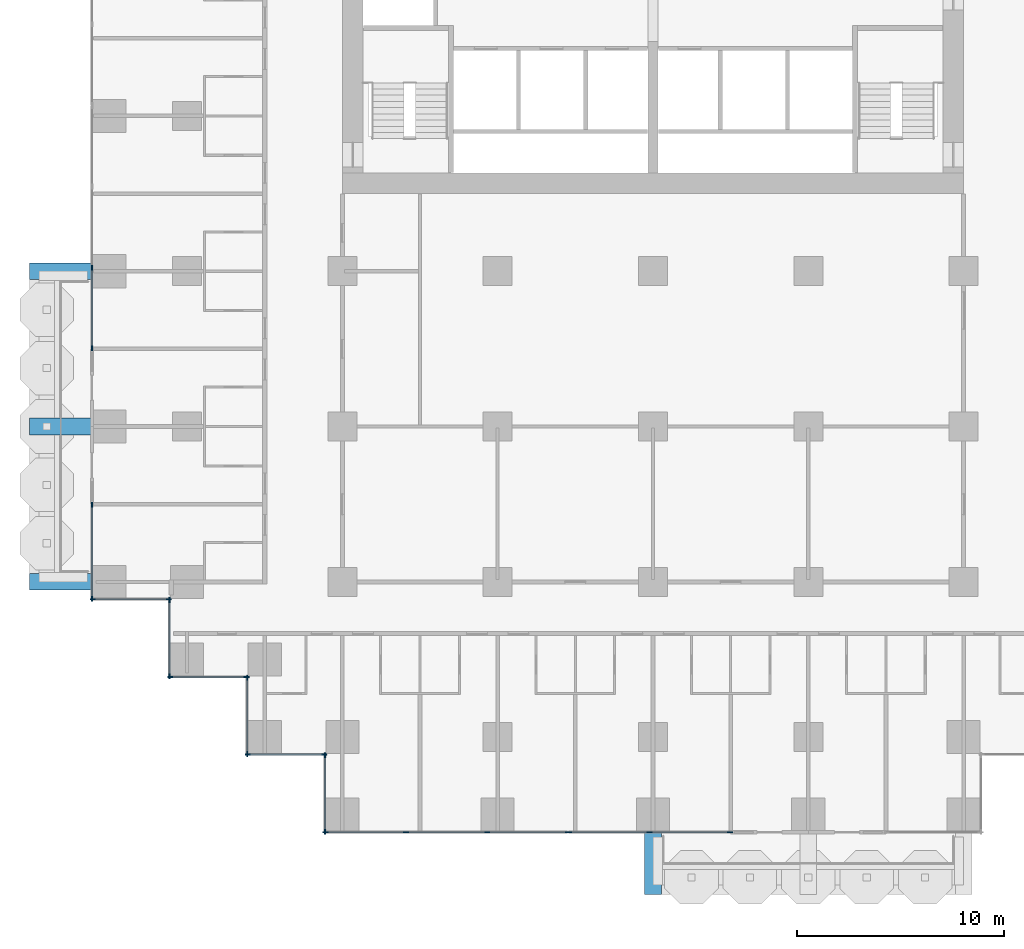
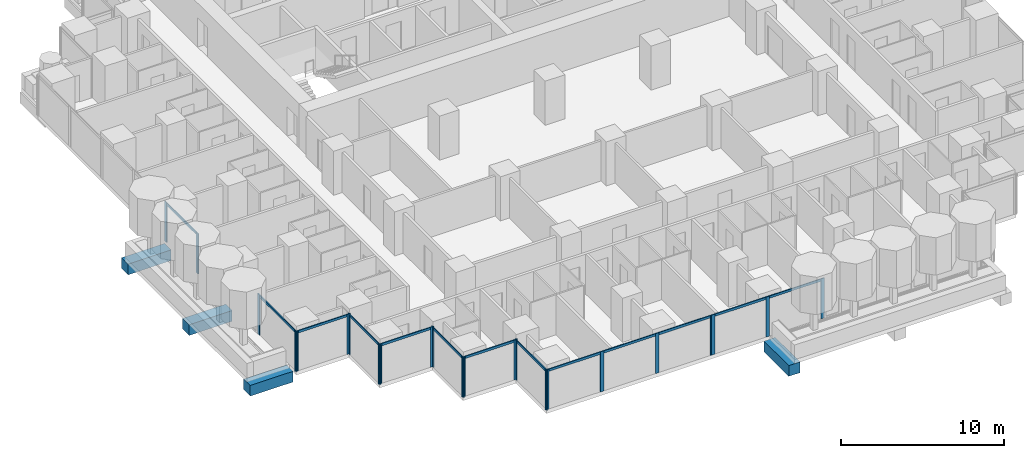
# One storey, part 2 of 19: 36 members, 4 beams, 10 elements without a shape of their own.
"""IFC4 building model written with IfcOpenShell, lengths in metres."""

from ifc_helpers import new_model, si_unit, direction, frame, origin, origin_2d, place, context, subcontext, project, spatial, rectangle, extrude, material, material_profile, profile_set, type_object, element, aggregate, save


model = new_model("IFC4")

# Units and contexts
model_context = context("Model", 3, precision=1e-05, world=origin(), true_north=direction((0.0, 1.0)))
body_context = subcontext(model_context, "Body", "Model", "MODEL_VIEW")
ifc_project = project(units=[si_unit("LENGTHUNIT", "METRE"), si_unit("AREAUNIT", "SQUARE_METRE"), si_unit("VOLUMEUNIT", "CUBIC_METRE"), si_unit("PLANEANGLEUNIT", "RADIAN"), si_unit("MASSUNIT", "GRAM", prefix="KILO")], contexts=[model_context])

# Site, building, storey
site_placement = place(None, origin())
site = spatial("IfcSite", under=ifc_project, at=site_placement, CompositionType="ELEMENT")
building_placement = place(site_placement, origin())
building = spatial("IfcBuilding", under=site, at=building_placement, Name="Pilkhan Gate Tower", CompositionType="ELEMENT")
storey_placement = place(building_placement, frame((0.0, 0.0, 46.10009765625)))
storey = spatial("IfcBuildingStorey", under=building, at=storey_placement, Name="L08", CompositionType="ELEMENT", Elevation=46.10009765625)

# Beams
ifc_material_1 = material(Name="Concrete C50/60", Category="concrete")
ifc_material_profile_1 = material_profile(ifc_material_1, rectangle(XDim=0.800048828125, YDim=0.800048828125, at=origin_2d()), Name="RC 800x800")
ifc_profile_set_1 = profile_set([ifc_material_profile_1], Name="Concrete C50/60")
beam_type = type_object("IfcBeamType", Name="Cantilever beam CB2 RC 800x800 C50/60", PredefinedType="BEAM", material=ifc_profile_set_1)
for number, where, z_axis, x_axis, name in (
    (1, (75.0, 40.449951171875, -0.7001953125), (0.0, -1.0, 0.0), (1.0, 0.0, 0.0), "Balcony beam S.1 L08"),
    (2, (47.949951171875, 52.5, -0.7001953125), (-1.0, 0.0, 0.0), (0.0, -1.0, 0.0), "Balcony beam W.1 L08"),
    (3, (47.949951171875, 60.0, -0.7001953125), (-1.0, 0.0, 0.0), (0.0, -1.0, 0.0), "Balcony beam W.2 L08"),
    (4, (47.949951171875, 67.5, -0.7001953125), (-1.0, 0.0, 0.0), (0.0, -1.0, 0.0), "Balcony beam W.3 L08"),
):
    element("IfcBeam", number, at=place(storey_placement, frame(where, z_axis=z_axis, x_axis=x_axis)), inside=storey, type_object=beam_type, Name=name, PredefinedType="BEAM", context=body_context, shape_type="SweptSolid", body=[
        extrude(rectangle(XDim=0.800048828125, YDim=0.800048828125, at=origin_2d()), origin(), (0.0, 0.0, 1.0), 3.050048828125),
    ])

# Curtain wall, members
ifc_material_2 = material(Name="Pale anodised aluminium, clear low-iron double glazing", Category="aluminium")
curtain_wall_type = type_object("IfcCurtainWallType", Name="Hotel unitised curtain wall CW-H", PredefinedType="USERDEFINED", material=ifc_material_2)
curtain_wall_1_placement = place(storey_placement, origin())
curtain_wall_1 = element("IfcCurtainWall", 5, at=curtain_wall_1_placement, inside=storey, type_object=curtain_wall_type, Name="Hotel unitised curtain wall CW-H L08 W", ObjectType="UNITISED CURTAIN WALL", PredefinedType="USERDEFINED")
ifc_material_3 = material(Name="Pale anodised aluminium", Category="aluminium")
ifc_material_profile_2 = material_profile(ifc_material_3, rectangle(XDim=0.06494140625, YDim=0.25, at=origin_2d()), Name="Mullion 250x65")
ifc_profile_set_2 = profile_set([ifc_material_profile_2], Name="Pale anodised aluminium")
member_type_1 = type_object("IfcMemberType", Name="Mullion CW-H 250x65", PredefinedType="MULLION", material=ifc_profile_set_2)
member_1_placement = place(storey_placement, frame((47.905029296875, 51.6875, 0.0), z_axis=(0.0, 0.0, 1.0), x_axis=(-1.0, 0.0, 0.0)))
member_1 = element("IfcMember", 6, at=member_1_placement, type_object=member_type_1, Name="CW-H mullion 1", PredefinedType="MULLION", context=body_context, shape_type="SweptSolid", body=[
    extrude(rectangle(XDim=0.06494140625, YDim=0.25, at=origin_2d()), origin(), (0.0, 0.0, 1.0), 3.0),
])
member_2_placement = place(storey_placement, frame((47.905029296875, 56.217529296875, 0.0), z_axis=(0.0, 0.0, 1.0), x_axis=(-1.0, 0.0, 0.0)))
member_2 = element("IfcMember", 7, at=member_2_placement, type_object=member_type_1, Name="CW-H mullion 2", PredefinedType="MULLION", context=body_context, shape_type="SweptSolid", body=[
    extrude(rectangle(XDim=0.06494140625, YDim=0.25, at=origin_2d()), origin(), (0.0, 0.0, 1.0), 3.0),
])

curtain_wall_2_placement = place(storey_placement, origin())
curtain_wall_2 = element("IfcCurtainWall", 8, at=curtain_wall_2_placement, inside=storey, type_object=curtain_wall_type, Name="Hotel unitised curtain wall CW-H L08 W", ObjectType="UNITISED CURTAIN WALL", PredefinedType="USERDEFINED")
member_3_placement = place(storey_placement, frame((47.905029296875, 63.782470703125, 0.0), z_axis=(0.0, 0.0, 1.0), x_axis=(-1.0, 0.0, 0.0)))
member_3 = element("IfcMember", 9, at=member_3_placement, type_object=member_type_1, Name="CW-H mullion 1", PredefinedType="MULLION", context=body_context, shape_type="SweptSolid", body=[
    extrude(rectangle(XDim=0.06494140625, YDim=0.25, at=origin_2d()), origin(), (0.0, 0.0, 1.0), 3.0),
])
member_4_placement = place(storey_placement, frame((47.905029296875, 67.6689453125, 0.0), z_axis=(0.0, 0.0, 1.0), x_axis=(-1.0, 0.0, 0.0)))
member_4 = element("IfcMember", 10, at=member_4_placement, type_object=member_type_1, Name="CW-H mullion 2", PredefinedType="MULLION", context=body_context, shape_type="SweptSolid", body=[
    extrude(rectangle(XDim=0.06494140625, YDim=0.25, at=origin_2d()), origin(), (0.0, 0.0, 1.0), 3.0),
])

curtain_wall_3_placement = place(storey_placement, origin())
curtain_wall_3 = element("IfcCurtainWall", 11, at=curtain_wall_3_placement, inside=storey, type_object=curtain_wall_type, Name="Hotel unitised curtain wall CW-H L08 S", ObjectType="UNITISED CURTAIN WALL", PredefinedType="USERDEFINED")
member_5_placement = place(storey_placement, frame((47.9375, 51.655029296875, 0.0), z_axis=(0.0, 0.0, 1.0), x_axis=(0.0, 1.0, 0.0)))
member_5 = element("IfcMember", 12, at=member_5_placement, type_object=member_type_1, Name="CW-H mullion 1", PredefinedType="MULLION", context=body_context, shape_type="SweptSolid", body=[
    extrude(rectangle(XDim=0.06494140625, YDim=0.25, at=origin_2d()), origin(), (0.0, 0.0, 1.0), 3.0),
])
member_6_placement = place(storey_placement, frame((51.62255859375, 51.655029296875, 0.0), z_axis=(0.0, 0.0, 1.0), x_axis=(0.0, 1.0, 0.0)))
member_6 = element("IfcMember", 13, at=member_6_placement, type_object=member_type_1, Name="CW-H mullion 2", PredefinedType="MULLION", context=body_context, shape_type="SweptSolid", body=[
    extrude(rectangle(XDim=0.06494140625, YDim=0.25, at=origin_2d()), origin(), (0.0, 0.0, 1.0), 3.0),
])

curtain_wall_4_placement = place(storey_placement, origin())
curtain_wall_4 = element("IfcCurtainWall", 14, at=curtain_wall_4_placement, inside=storey, type_object=curtain_wall_type, Name="Hotel unitised curtain wall CW-H L08 W", ObjectType="UNITISED CURTAIN WALL", PredefinedType="USERDEFINED")
member_7_placement = place(storey_placement, frame((51.655029296875, 47.9375, 0.0), z_axis=(0.0, 0.0, 1.0), x_axis=(-1.0, 0.0, 0.0)))
member_7 = element("IfcMember", 15, at=member_7_placement, type_object=member_type_1, Name="CW-H mullion 1", PredefinedType="MULLION", context=body_context, shape_type="SweptSolid", body=[
    extrude(rectangle(XDim=0.06494140625, YDim=0.25, at=origin_2d()), origin(), (0.0, 0.0, 1.0), 3.0),
])
member_8_placement = place(storey_placement, frame((51.655029296875, 51.62255859375, 0.0), z_axis=(0.0, 0.0, 1.0), x_axis=(-1.0, 0.0, 0.0)))
member_8 = element("IfcMember", 16, at=member_8_placement, type_object=member_type_1, Name="CW-H mullion 2", PredefinedType="MULLION", context=body_context, shape_type="SweptSolid", body=[
    extrude(rectangle(XDim=0.06494140625, YDim=0.25, at=origin_2d()), origin(), (0.0, 0.0, 1.0), 3.0),
])

curtain_wall_5_placement = place(storey_placement, origin())
curtain_wall_5 = element("IfcCurtainWall", 17, at=curtain_wall_5_placement, inside=storey, type_object=curtain_wall_type, Name="Hotel unitised curtain wall CW-H L08 S", ObjectType="UNITISED CURTAIN WALL", PredefinedType="USERDEFINED")
member_9_placement = place(storey_placement, frame((51.6875, 47.905029296875, 0.0), z_axis=(0.0, 0.0, 1.0), x_axis=(0.0, 1.0, 0.0)))
member_9 = element("IfcMember", 18, at=member_9_placement, type_object=member_type_1, Name="CW-H mullion 1", PredefinedType="MULLION", context=body_context, shape_type="SweptSolid", body=[
    extrude(rectangle(XDim=0.06494140625, YDim=0.25, at=origin_2d()), origin(), (0.0, 0.0, 1.0), 3.0),
])
member_10_placement = place(storey_placement, frame((55.37255859375, 47.905029296875, 0.0), z_axis=(0.0, 0.0, 1.0), x_axis=(0.0, 1.0, 0.0)))
member_10 = element("IfcMember", 19, at=member_10_placement, type_object=member_type_1, Name="CW-H mullion 2", PredefinedType="MULLION", context=body_context, shape_type="SweptSolid", body=[
    extrude(rectangle(XDim=0.06494140625, YDim=0.25, at=origin_2d()), origin(), (0.0, 0.0, 1.0), 3.0),
])

curtain_wall_6_placement = place(storey_placement, origin())
curtain_wall_6 = element("IfcCurtainWall", 20, at=curtain_wall_6_placement, inside=storey, type_object=curtain_wall_type, Name="Hotel unitised curtain wall CW-H L08 W", ObjectType="UNITISED CURTAIN WALL", PredefinedType="USERDEFINED")
member_11_placement = place(storey_placement, frame((55.405029296875, 44.1875, 0.0), z_axis=(0.0, 0.0, 1.0), x_axis=(-1.0, 0.0, 0.0)))
member_11 = element("IfcMember", 21, at=member_11_placement, type_object=member_type_1, Name="CW-H mullion 1", PredefinedType="MULLION", context=body_context, shape_type="SweptSolid", body=[
    extrude(rectangle(XDim=0.06494140625, YDim=0.25, at=origin_2d()), origin(), (0.0, 0.0, 1.0), 3.0),
])
member_12_placement = place(storey_placement, frame((55.405029296875, 47.87255859375, 0.0), z_axis=(0.0, 0.0, 1.0), x_axis=(-1.0, 0.0, 0.0)))
member_12 = element("IfcMember", 22, at=member_12_placement, type_object=member_type_1, Name="CW-H mullion 2", PredefinedType="MULLION", context=body_context, shape_type="SweptSolid", body=[
    extrude(rectangle(XDim=0.06494140625, YDim=0.25, at=origin_2d()), origin(), (0.0, 0.0, 1.0), 3.0),
])

curtain_wall_7_placement = place(storey_placement, origin())
curtain_wall_7 = element("IfcCurtainWall", 23, at=curtain_wall_7_placement, inside=storey, type_object=curtain_wall_type, Name="Hotel unitised curtain wall CW-H L08 S", ObjectType="UNITISED CURTAIN WALL", PredefinedType="USERDEFINED")
member_13_placement = place(storey_placement, frame((55.4375, 44.155029296875, 0.0), z_axis=(0.0, 0.0, 1.0), x_axis=(0.0, 1.0, 0.0)))
member_13 = element("IfcMember", 24, at=member_13_placement, type_object=member_type_1, Name="CW-H mullion 1", PredefinedType="MULLION", context=body_context, shape_type="SweptSolid", body=[
    extrude(rectangle(XDim=0.06494140625, YDim=0.25, at=origin_2d()), origin(), (0.0, 0.0, 1.0), 3.0),
])
member_14_placement = place(storey_placement, frame((59.12255859375, 44.155029296875, 0.0), z_axis=(0.0, 0.0, 1.0), x_axis=(0.0, 1.0, 0.0)))
member_14 = element("IfcMember", 25, at=member_14_placement, type_object=member_type_1, Name="CW-H mullion 2", PredefinedType="MULLION", context=body_context, shape_type="SweptSolid", body=[
    extrude(rectangle(XDim=0.06494140625, YDim=0.25, at=origin_2d()), origin(), (0.0, 0.0, 1.0), 3.0),
])

curtain_wall_8_placement = place(storey_placement, origin())
curtain_wall_8 = element("IfcCurtainWall", 26, at=curtain_wall_8_placement, inside=storey, type_object=curtain_wall_type, Name="Hotel unitised curtain wall CW-H L08 W", ObjectType="UNITISED CURTAIN WALL", PredefinedType="USERDEFINED")
member_15_placement = place(storey_placement, frame((59.155029296875, 40.4375, 0.0), z_axis=(0.0, 0.0, 1.0), x_axis=(-1.0, 0.0, 0.0)))
member_15 = element("IfcMember", 27, at=member_15_placement, type_object=member_type_1, Name="CW-H mullion 1", PredefinedType="MULLION", context=body_context, shape_type="SweptSolid", body=[
    extrude(rectangle(XDim=0.06494140625, YDim=0.25, at=origin_2d()), origin(), (0.0, 0.0, 1.0), 3.0),
])
member_16_placement = place(storey_placement, frame((59.155029296875, 44.12255859375, 0.0), z_axis=(0.0, 0.0, 1.0), x_axis=(-1.0, 0.0, 0.0)))
member_16 = element("IfcMember", 28, at=member_16_placement, type_object=member_type_1, Name="CW-H mullion 2", PredefinedType="MULLION", context=body_context, shape_type="SweptSolid", body=[
    extrude(rectangle(XDim=0.06494140625, YDim=0.25, at=origin_2d()), origin(), (0.0, 0.0, 1.0), 3.0),
])

curtain_wall_9_placement = place(storey_placement, origin())
curtain_wall_9 = element("IfcCurtainWall", 29, at=curtain_wall_9_placement, inside=storey, type_object=curtain_wall_type, Name="Hotel unitised curtain wall CW-H L08 S", ObjectType="UNITISED CURTAIN WALL", PredefinedType="USERDEFINED")
member_17_placement = place(storey_placement, frame((59.1875, 40.405029296875, 0.0), z_axis=(0.0, 0.0, 1.0), x_axis=(0.0, 1.0, 0.0)))
member_17 = element("IfcMember", 30, at=member_17_placement, type_object=member_type_1, Name="CW-H mullion 1", PredefinedType="MULLION", context=body_context, shape_type="SweptSolid", body=[
    extrude(rectangle(XDim=0.06494140625, YDim=0.25, at=origin_2d()), origin(), (0.0, 0.0, 1.0), 3.0),
])
member_18_placement = place(storey_placement, frame((63.073974609375, 40.405029296875, 0.0), z_axis=(0.0, 0.0, 1.0), x_axis=(0.0, 1.0, 0.0)))
member_18 = element("IfcMember", 31, at=member_18_placement, type_object=member_type_1, Name="CW-H mullion 2", PredefinedType="MULLION", context=body_context, shape_type="SweptSolid", body=[
    extrude(rectangle(XDim=0.06494140625, YDim=0.25, at=origin_2d()), origin(), (0.0, 0.0, 1.0), 3.0),
])
member_19_placement = place(storey_placement, frame((66.992919921875, 40.405029296875, 0.0), z_axis=(0.0, 0.0, 1.0), x_axis=(0.0, 1.0, 0.0)))
member_19 = element("IfcMember", 32, at=member_19_placement, type_object=member_type_1, Name="CW-H mullion 3", PredefinedType="MULLION", context=body_context, shape_type="SweptSolid", body=[
    extrude(rectangle(XDim=0.06494140625, YDim=0.25, at=origin_2d()), origin(), (0.0, 0.0, 1.0), 3.0),
])
member_20_placement = place(storey_placement, frame((70.87939453125, 40.405029296875, 0.0), z_axis=(0.0, 0.0, 1.0), x_axis=(0.0, 1.0, 0.0)))
member_20 = element("IfcMember", 33, at=member_20_placement, type_object=member_type_1, Name="CW-H mullion 4", PredefinedType="MULLION", context=body_context, shape_type="SweptSolid", body=[
    extrude(rectangle(XDim=0.06494140625, YDim=0.25, at=origin_2d()), origin(), (0.0, 0.0, 1.0), 3.0),
])

curtain_wall_10_placement = place(storey_placement, origin())
curtain_wall_10 = element("IfcCurtainWall", 34, at=curtain_wall_10_placement, inside=storey, type_object=curtain_wall_type, Name="Hotel unitised curtain wall CW-H L08 S", ObjectType="UNITISED CURTAIN WALL", PredefinedType="USERDEFINED")
member_21_placement = place(storey_placement, frame((70.944580078125, 40.405029296875, 0.0), z_axis=(0.0, 0.0, 1.0), x_axis=(0.0, 1.0, 0.0)))
member_21 = element("IfcMember", 35, at=member_21_placement, type_object=member_type_1, Name="CW-H mullion 1", PredefinedType="MULLION", context=body_context, shape_type="SweptSolid", body=[
    extrude(rectangle(XDim=0.06494140625, YDim=0.25, at=origin_2d()), origin(), (0.0, 0.0, 1.0), 3.0),
])
member_22_placement = place(storey_placement, frame((74.8310546875, 40.405029296875, 0.0), z_axis=(0.0, 0.0, 1.0), x_axis=(0.0, 1.0, 0.0)))
member_22 = element("IfcMember", 36, at=member_22_placement, type_object=member_type_1, Name="CW-H mullion 2", PredefinedType="MULLION", context=body_context, shape_type="SweptSolid", body=[
    extrude(rectangle(XDim=0.06494140625, YDim=0.25, at=origin_2d()), origin(), (0.0, 0.0, 1.0), 3.0),
])
member_23_placement = place(storey_placement, frame((78.717529296875, 40.405029296875, 0.0), z_axis=(0.0, 0.0, 1.0), x_axis=(0.0, 1.0, 0.0)))
member_23 = element("IfcMember", 37, at=member_23_placement, type_object=member_type_1, Name="CW-H mullion 3", PredefinedType="MULLION", context=body_context, shape_type="SweptSolid", body=[
    extrude(rectangle(XDim=0.06494140625, YDim=0.25, at=origin_2d()), origin(), (0.0, 0.0, 1.0), 3.0),
])

# Member
ifc_material_profile_3 = material_profile(ifc_material_3, rectangle(XDim=0.06494140625, YDim=0.179931640625, at=origin_2d()), Name="Transom 180x65")
ifc_profile_set_3 = profile_set([ifc_material_profile_3], Name="Pale anodised aluminium")
member_type_2 = type_object("IfcMemberType", Name="Transom CW-H 180x65", PredefinedType="USERDEFINED", material=ifc_profile_set_3)
member_24_placement = place(storey_placement, frame((47.905029296875, 51.719970703125, 2.909912109375), z_axis=(0.0, 1.0, 0.0), x_axis=(-1.0, 0.0, 0.0)))
member_24 = element("IfcMember", 38, at=member_24_placement, type_object=member_type_2, Name="CW-H transom 1", ObjectType="TRANSOM", PredefinedType="USERDEFINED", context=body_context, shape_type="SweptSolid", body=[
    extrude(rectangle(XDim=0.06494140625, YDim=0.179931640625, at=origin_2d()), origin(), (0.0, 0.0, 1.0), 4.465087890625),
])

aggregate(curtain_wall_1, [member_1, member_2, member_24])

member_25_placement = place(storey_placement, frame((47.905029296875, 63.81494140625, 2.909912109375), z_axis=(0.0, 1.0, 0.0), x_axis=(-1.0, 0.0, 0.0)))
member_25 = element("IfcMember", 39, at=member_25_placement, type_object=member_type_2, Name="CW-H transom 1", ObjectType="TRANSOM", PredefinedType="USERDEFINED", context=body_context, shape_type="SweptSolid", body=[
    extrude(rectangle(XDim=0.06494140625, YDim=0.179931640625, at=origin_2d()), origin(), (0.0, 0.0, 1.0), 3.821533203125),
])

aggregate(curtain_wall_2, [member_3, member_4, member_25])

member_26_placement = place(storey_placement, frame((47.969970703125, 51.655029296875, 2.909912109375), z_axis=(1.0, 0.0, 0.0), x_axis=(0.0, 1.0, 0.0)))
member_26 = element("IfcMember", 40, at=member_26_placement, type_object=member_type_2, Name="CW-H transom 1", ObjectType="TRANSOM", PredefinedType="USERDEFINED", context=body_context, shape_type="SweptSolid", body=[
    extrude(rectangle(XDim=0.06494140625, YDim=0.179931640625, at=origin_2d()), origin(), (0.0, 0.0, 1.0), 3.6201171875),
])

aggregate(curtain_wall_3, [member_5, member_6, member_26])

member_27_placement = place(storey_placement, frame((51.655029296875, 47.969970703125, 2.909912109375), z_axis=(0.0, 1.0, 0.0), x_axis=(-1.0, 0.0, 0.0)))
member_27 = element("IfcMember", 41, at=member_27_placement, type_object=member_type_2, Name="CW-H transom 1", ObjectType="TRANSOM", PredefinedType="USERDEFINED", context=body_context, shape_type="SweptSolid", body=[
    extrude(rectangle(XDim=0.06494140625, YDim=0.179931640625, at=origin_2d()), origin(), (0.0, 0.0, 1.0), 3.6201171875),
])

aggregate(curtain_wall_4, [member_7, member_8, member_27])

member_28_placement = place(storey_placement, frame((51.719970703125, 47.905029296875, 2.909912109375), z_axis=(1.0, 0.0, 0.0), x_axis=(0.0, 1.0, 0.0)))
member_28 = element("IfcMember", 42, at=member_28_placement, type_object=member_type_2, Name="CW-H transom 1", ObjectType="TRANSOM", PredefinedType="USERDEFINED", context=body_context, shape_type="SweptSolid", body=[
    extrude(rectangle(XDim=0.06494140625, YDim=0.179931640625, at=origin_2d()), origin(), (0.0, 0.0, 1.0), 3.6201171875),
])

aggregate(curtain_wall_5, [member_9, member_10, member_28])

member_29_placement = place(storey_placement, frame((55.405029296875, 44.219970703125, 2.909912109375), z_axis=(0.0, 1.0, 0.0), x_axis=(-1.0, 0.0, 0.0)))
member_29 = element("IfcMember", 43, at=member_29_placement, type_object=member_type_2, Name="CW-H transom 1", ObjectType="TRANSOM", PredefinedType="USERDEFINED", context=body_context, shape_type="SweptSolid", body=[
    extrude(rectangle(XDim=0.06494140625, YDim=0.179931640625, at=origin_2d()), origin(), (0.0, 0.0, 1.0), 3.6201171875),
])

aggregate(curtain_wall_6, [member_11, member_12, member_29])

member_30_placement = place(storey_placement, frame((55.469970703125, 44.155029296875, 2.909912109375), z_axis=(1.0, 0.0, 0.0), x_axis=(0.0, 1.0, 0.0)))
member_30 = element("IfcMember", 44, at=member_30_placement, type_object=member_type_2, Name="CW-H transom 1", ObjectType="TRANSOM", PredefinedType="USERDEFINED", context=body_context, shape_type="SweptSolid", body=[
    extrude(rectangle(XDim=0.06494140625, YDim=0.179931640625, at=origin_2d()), origin(), (0.0, 0.0, 1.0), 3.6201171875),
])

aggregate(curtain_wall_7, [member_13, member_14, member_30])

member_31_placement = place(storey_placement, frame((59.155029296875, 40.469970703125, 2.909912109375), z_axis=(0.0, 1.0, 0.0), x_axis=(-1.0, 0.0, 0.0)))
member_31 = element("IfcMember", 45, at=member_31_placement, type_object=member_type_2, Name="CW-H transom 1", ObjectType="TRANSOM", PredefinedType="USERDEFINED", context=body_context, shape_type="SweptSolid", body=[
    extrude(rectangle(XDim=0.06494140625, YDim=0.179931640625, at=origin_2d()), origin(), (0.0, 0.0, 1.0), 3.6201171875),
])

aggregate(curtain_wall_8, [member_15, member_16, member_31])

member_32_placement = place(storey_placement, frame((59.219970703125, 40.405029296875, 2.909912109375), z_axis=(1.0, 0.0, 0.0), x_axis=(0.0, 1.0, 0.0)))
member_32 = element("IfcMember", 46, at=member_32_placement, type_object=member_type_2, Name="CW-H transom 1", ObjectType="TRANSOM", PredefinedType="USERDEFINED", context=body_context, shape_type="SweptSolid", body=[
    extrude(rectangle(XDim=0.06494140625, YDim=0.179931640625, at=origin_2d()), origin(), (0.0, 0.0, 1.0), 3.821533203125),
])

member_33_placement = place(storey_placement, frame((63.1064453125, 40.405029296875, 2.909912109375), z_axis=(1.0, 0.0, 0.0), x_axis=(0.0, 1.0, 0.0)))
member_33 = element("IfcMember", 47, at=member_33_placement, type_object=member_type_2, Name="CW-H transom 2", ObjectType="TRANSOM", PredefinedType="USERDEFINED", context=body_context, shape_type="SweptSolid", body=[
    extrude(rectangle(XDim=0.06494140625, YDim=0.179931640625, at=origin_2d()), origin(), (0.0, 0.0, 1.0), 3.85400390625),
])

member_34_placement = place(storey_placement, frame((67.025390625, 40.405029296875, 2.909912109375), z_axis=(1.0, 0.0, 0.0), x_axis=(0.0, 1.0, 0.0)))
member_34 = element("IfcMember", 48, at=member_34_placement, type_object=member_type_2, Name="CW-H transom 3", ObjectType="TRANSOM", PredefinedType="USERDEFINED", context=body_context, shape_type="SweptSolid", body=[
    extrude(rectangle(XDim=0.06494140625, YDim=0.179931640625, at=origin_2d()), origin(), (0.0, 0.0, 1.0), 3.821533203125),
])

aggregate(curtain_wall_9, [member_17, member_18, member_19, member_20, member_32, member_33, member_34])

member_35_placement = place(storey_placement, frame((70.97705078125, 40.405029296875, 2.909912109375), z_axis=(1.0, 0.0, 0.0), x_axis=(0.0, 1.0, 0.0)))
member_35 = element("IfcMember", 49, at=member_35_placement, type_object=member_type_2, Name="CW-H transom 1", ObjectType="TRANSOM", PredefinedType="USERDEFINED", context=body_context, shape_type="SweptSolid", body=[
    extrude(rectangle(XDim=0.06494140625, YDim=0.179931640625, at=origin_2d()), origin(), (0.0, 0.0, 1.0), 3.821533203125),
])

member_36_placement = place(storey_placement, frame((74.863525390625, 40.405029296875, 2.909912109375), z_axis=(1.0, 0.0, 0.0), x_axis=(0.0, 1.0, 0.0)))
member_36 = element("IfcMember", 50, at=member_36_placement, type_object=member_type_2, Name="CW-H transom 2", ObjectType="TRANSOM", PredefinedType="USERDEFINED", context=body_context, shape_type="SweptSolid", body=[
    extrude(rectangle(XDim=0.06494140625, YDim=0.179931640625, at=origin_2d()), origin(), (0.0, 0.0, 1.0), 3.821533203125),
])

aggregate(curtain_wall_10, [member_21, member_22, member_23, member_35, member_36])

save(model, "model.ifc")
